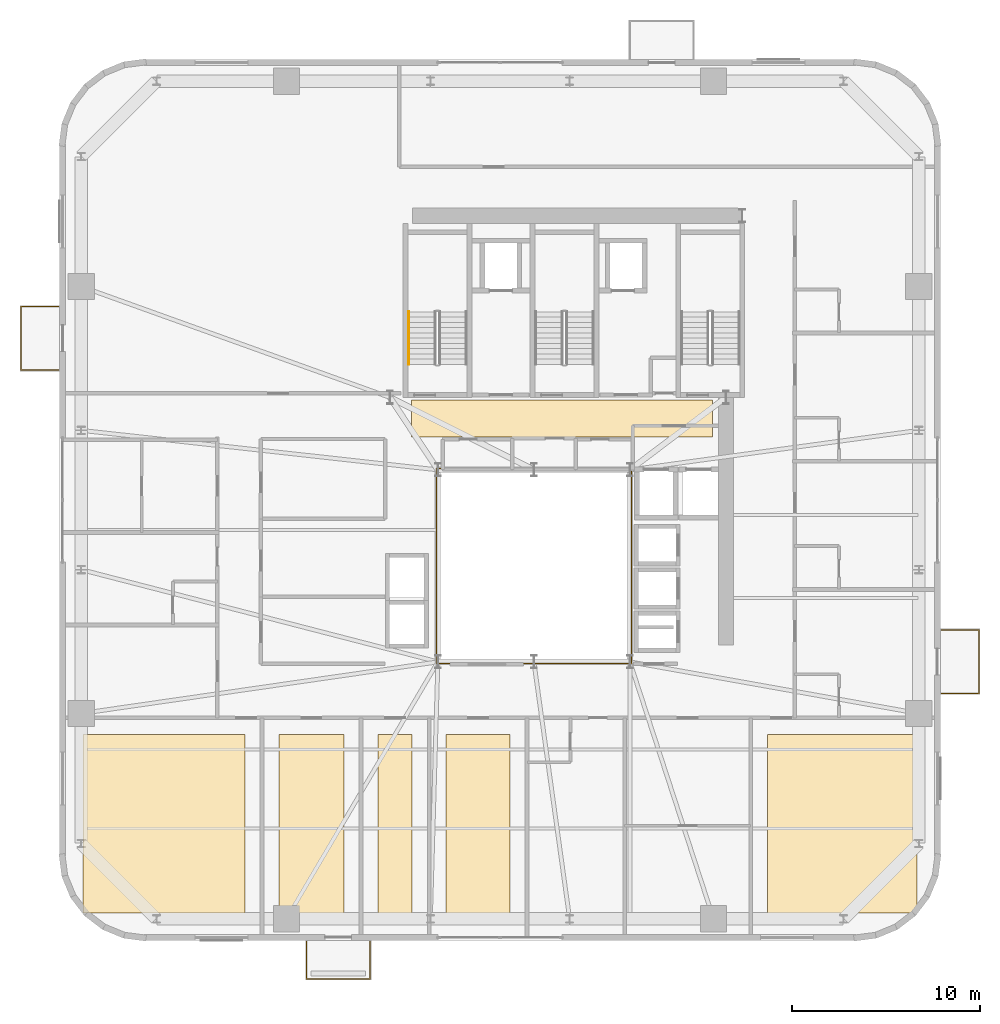
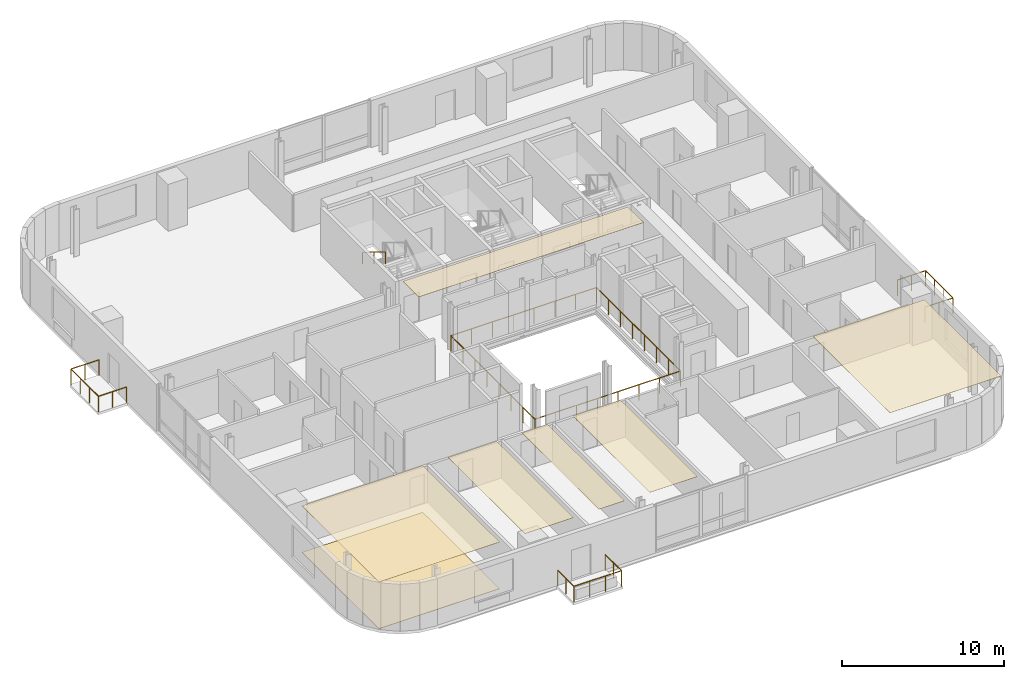
# One storey, part 12 of 13: 7 coverings, 5 railings.
"""IFC4 building model written with IfcOpenShell, lengths in metres."""

from ifc_helpers import new_model, si_unit, direction, frame, origin, origin_2d, place, context, subcontext, project, spatial, polyline, rectangle, outline, extrude, source, transform, mapped, material, layer, layer_set, type_object, element, save


model = new_model("IFC4")

# Units and contexts
model_context = context("Model", 3, precision=1e-05, world=origin(), true_north=direction((0.0, 1.0)))
body_context = subcontext(model_context, "Body", "Model", "MODEL_VIEW")
ifc_project = project(units=[si_unit("LENGTHUNIT", "METRE"), si_unit("AREAUNIT", "SQUARE_METRE"), si_unit("VOLUMEUNIT", "CUBIC_METRE"), si_unit("PLANEANGLEUNIT", "RADIAN"), si_unit("MASSUNIT", "GRAM", prefix="KILO")], contexts=[model_context])

# Site, building, storey
site_placement = place(None, origin())
site = spatial("IfcSite", under=ifc_project, at=site_placement, CompositionType="ELEMENT")
building_placement = place(site_placement, origin())
building = spatial("IfcBuilding", under=site, at=building_placement, Name="Vardaveli Station Tower", CompositionType="ELEMENT")
storey_placement = place(building_placement, frame((0.0, 0.0, 196.050048828125)))
storey = spatial("IfcBuildingStorey", under=building, at=storey_placement, Name="L50", CompositionType="ELEMENT", Elevation=196.050048828125)

# Coverings
ifc_material_1 = material(Name="Perforated acoustic mineral ceiling")
ifc_layer_1 = layer(ifc_material_1, 0.02001953125, Name="Perforated acoustic mineral ceiling")
ifc_layer_set_1 = layer_set([ifc_layer_1], Name="Perforated acoustic mineral ceiling")
covering_type_1 = type_object("IfcCoveringType", Name="COV-CEIL-AC20", PredefinedType="CEILING", material=ifc_layer_set_1)
covering_1_placement = place(storey_placement, frame((0.0, 0.0, 3.514892578125)))
element("IfcCovering", 1, at=covering_1_placement, inside=storey, type_object=covering_type_1, Name="CEIL-L50-1", PredefinedType="CEILING", context=body_context, shape_type="SweptSolid", body=[
    extrude(outline(polyline([(12.35009765625, 3.25), (20.949951171875, 3.25), (20.949951171875, 12.72998046875), (12.35009765625, 12.72998046875), (12.35009765625, 3.25)])), origin(), (0.0, 0.0, 1.0), 0.02001953125),
])
covering_2_placement = place(storey_placement, frame((0.0, 0.0, 3.514892578125)))
element("IfcCovering", 2, at=covering_2_placement, inside=storey, type_object=covering_type_1, Name="CEIL-L50-2", PredefinedType="CEILING", context=body_context, shape_type="SweptSolid", body=[
    extrude(outline(polyline([(22.75, 3.25), (26.21044921875, 3.25), (26.21044921875, 12.72998046875), (22.75, 12.72998046875), (22.75, 3.25)])), origin(), (0.0, 0.0, 1.0), 0.02001953125),
])
covering_3_placement = place(storey_placement, frame((0.0, 0.0, 3.514892578125)))
element("IfcCovering", 3, at=covering_3_placement, inside=storey, type_object=covering_type_1, Name="CEIL-L50-3", PredefinedType="CEILING", context=body_context, shape_type="SweptSolid", body=[
    extrude(outline(polyline([(28.010498046875, 3.25), (29.837890625, 3.25), (29.837890625, 12.72998046875), (28.010498046875, 12.72998046875), (28.010498046875, 3.25)])), origin(), (0.0, 0.0, 1.0), 0.02001953125),
])
covering_4_placement = place(storey_placement, frame((0.0, 0.0, 3.514892578125)))
element("IfcCovering", 4, at=covering_4_placement, inside=storey, type_object=covering_type_1, Name="CEIL-L50-4", PredefinedType="CEILING", context=body_context, shape_type="SweptSolid", body=[
    extrude(outline(polyline([(31.637939453125, 3.25), (35.031982421875, 3.25), (35.031982421875, 12.72998046875), (31.637939453125, 12.72998046875), (31.637939453125, 3.25)])), origin(), (0.0, 0.0, 1.0), 0.02001953125),
])
covering_5_placement = place(storey_placement, frame((0.0, 0.0, 3.514892578125)))
element("IfcCovering", 5, at=covering_5_placement, inside=storey, type_object=covering_type_1, Name="CEIL-L50-5", PredefinedType="CEILING", context=body_context, shape_type="SweptSolid", body=[
    extrude(outline(polyline([(48.719970703125, 3.25), (56.64990234375, 3.25), (56.64990234375, 12.72998046875), (48.719970703125, 12.72998046875), (48.719970703125, 3.25)])), origin(), (0.0, 0.0, 1.0), 0.02001953125),
])
covering_6_placement = place(storey_placement, frame((0.0, 0.0, 3.514892578125)))
element("IfcCovering", 6, at=covering_6_placement, inside=storey, type_object=covering_type_1, Name="CEIL-L50-6", PredefinedType="CEILING", context=body_context, shape_type="SweptSolid", body=[
    extrude(outline(polyline([(29.800048828125, 28.550048828125), (45.800048828125, 28.550048828125), (45.800048828125, 30.5), (29.800048828125, 30.5), (29.800048828125, 28.550048828125)])), origin(), (0.0, 0.0, 1.0), 0.02001953125),
])
ifc_material_2 = material(Name="Honed Caucasian basalt and travertine flooring", Category="masonry")
ifc_layer_2 = layer(ifc_material_2, 0.030029296875, Name="Honed Caucasian basalt and travertine flooring")
ifc_layer_set_2 = layer_set([ifc_layer_2], Name="Honed Caucasian basalt and travertine flooring")
covering_type_2 = type_object("IfcCoveringType", Name="COV-FLOOR-ST30", PredefinedType="FLOORING", material=ifc_layer_set_2)
covering_7_placement = place(storey_placement, origin())
element("IfcCovering", 7, at=covering_7_placement, inside=storey, type_object=covering_type_2, Name="FLR-L50-1", PredefinedType="FLOORING", context=body_context, shape_type="SweptSolid", body=[
    extrude(outline(polyline([(12.35009765625, 3.25), (20.949951171875, 3.25), (20.949951171875, 12.72998046875), (12.35009765625, 12.72998046875), (12.35009765625, 3.25)])), origin(), (0.0, 0.0, 1.0), 0.030029296875),
])

# Railings
ifc_material_3 = material(Name="Laminated glass and stainless steel balustrade", Category="steel")
railing_type_1 = type_object("IfcRailingType", Name="RL-BAL-1200", PredefinedType="BALUSTRADE", material=ifc_material_3)
shared_shape_1 = source(origin(), body_context, "Body", "SweptSolid", [
    extrude(rectangle(XDim=0.048095703125, YDim=0.048095703125, at=origin_2d()), frame((0.0, 0.0, 1.17578125), z_axis=(0.0, -1.0, 0.0), x_axis=(1.0, 0.0, 0.0)), (0.0, 0.0, 1.0), 2.0),
    extrude(rectangle(XDim=0.048095703125, YDim=0.048095703125, at=origin_2d()), frame((0.0, -2.0, 1.17578125), z_axis=(1.0, 0.0, 0.0), x_axis=(0.0, 1.0, 0.0)), (0.0, 0.0, 1.0), 3.3798828125),
    extrude(rectangle(XDim=0.048095703125, YDim=0.048095703125, at=origin_2d()), frame((3.3798828125, -2.0, 1.17578125), z_axis=(0.0, 1.0, 0.0), x_axis=(-1.0, 0.0, 0.0)), (0.0, 0.0, 1.0), 2.0),
    extrude(rectangle(XDim=0.0419921875, YDim=0.0419921875, at=origin_2d()), origin(), (0.0, 0.0, 1.0), 1.15185546875),
    extrude(rectangle(XDim=0.0419921875, YDim=0.0419921875, at=origin_2d()), frame((0.0, -1.0, 0.0)), (0.0, 0.0, 1.0), 1.15185546875),
    extrude(rectangle(XDim=0.0419921875, YDim=0.0419921875, at=origin_2d()), frame((0.0, -2.0, 0.0)), (0.0, 0.0, 1.0), 1.15185546875),
    extrude(rectangle(XDim=0.0419921875, YDim=0.0419921875, at=origin_2d()), frame((1.126708984375, -2.0, 0.0)), (0.0, 0.0, 1.0), 1.15185546875),
    extrude(rectangle(XDim=0.0419921875, YDim=0.0419921875, at=origin_2d()), frame((2.253173828125, -2.0, 0.0)), (0.0, 0.0, 1.0), 1.15185546875),
    extrude(rectangle(XDim=0.0419921875, YDim=0.0419921875, at=origin_2d()), frame((3.3798828125, -2.0, 0.0)), (0.0, 0.0, 1.0), 1.15185546875),
    extrude(rectangle(XDim=0.0419921875, YDim=0.0419921875, at=origin_2d()), frame((3.3798828125, -1.0, 0.0)), (0.0, 0.0, 1.0), 1.15185546875),
    extrude(rectangle(XDim=0.0419921875, YDim=0.0419921875, at=origin_2d()), frame((3.3798828125, 0.0, 0.0)), (0.0, 0.0, 1.0), 1.15185546875),
])
railing_1_placement = place(storey_placement, frame((24.220458984375, 1.760009765625, 0.0)))
element("IfcRailing", 8, at=railing_1_placement, inside=storey, type_object=railing_type_1, Name="RL-LOG-L50-01", PredefinedType="BALUSTRADE", context=body_context, shape_type="MappedRepresentation", body=[
    mapped(shared_shape_1, transform((0.0, 0.0, 0.0), scale=1.0)),
])
shared_shape_2 = source(origin(), body_context, "Body", "SweptSolid", [
    extrude(rectangle(XDim=0.048095703125, YDim=0.048095703125, at=origin_2d()), frame((0.0, 0.0, 1.17578125), z_axis=(1.0, 0.0, 0.0), x_axis=(0.0, 1.0, 0.0)), (0.0, 0.0, 1.0), 2.0),
    extrude(rectangle(XDim=0.048095703125, YDim=0.048095703125, at=origin_2d()), frame((2.0, 0.0, 1.17578125), z_axis=(0.0, 1.0, 0.0), x_axis=(-1.0, 0.0, 0.0)), (0.0, 0.0, 1.0), 3.3798828125),
    extrude(rectangle(XDim=0.048095703125, YDim=0.048095703125, at=origin_2d()), frame((2.0, 3.3798828125, 1.17578125), z_axis=(-1.0, 0.0, 0.0), x_axis=(0.0, -1.0, 0.0)), (0.0, 0.0, 1.0), 2.0),
    extrude(rectangle(XDim=0.0419921875, YDim=0.0419921875, at=origin_2d()), origin(), (0.0, 0.0, 1.0), 1.15185546875),
    extrude(rectangle(XDim=0.0419921875, YDim=0.0419921875, at=origin_2d()), frame((1.0, 0.0, 0.0)), (0.0, 0.0, 1.0), 1.15185546875),
    extrude(rectangle(XDim=0.0419921875, YDim=0.0419921875, at=origin_2d()), frame((2.0, 0.0, 0.0)), (0.0, 0.0, 1.0), 1.15185546875),
    extrude(rectangle(XDim=0.0419921875, YDim=0.0419921875, at=origin_2d()), frame((2.0, 1.126708984375, 0.0)), (0.0, 0.0, 1.0), 1.15185546875),
    extrude(rectangle(XDim=0.0419921875, YDim=0.0419921875, at=origin_2d()), frame((2.0, 2.253173828125, 0.0)), (0.0, 0.0, 1.0), 1.15185546875),
    extrude(rectangle(XDim=0.0419921875, YDim=0.0419921875, at=origin_2d()), frame((2.0, 3.3798828125, 0.0)), (0.0, 0.0, 1.0), 1.15185546875),
    extrude(rectangle(XDim=0.0419921875, YDim=0.0419921875, at=origin_2d()), frame((1.0, 3.3798828125, 0.0)), (0.0, 0.0, 1.0), 1.15185546875),
    extrude(rectangle(XDim=0.0419921875, YDim=0.0419921875, at=origin_2d()), frame((0.0, 3.3798828125, 0.0)), (0.0, 0.0, 1.0), 1.15185546875),
])
railing_2_placement = place(storey_placement, frame((57.93994140625, 14.92041015625, 0.0)))
element("IfcRailing", 9, at=railing_2_placement, inside=storey, type_object=railing_type_1, Name="RL-LOG-L50-04", PredefinedType="BALUSTRADE", context=body_context, shape_type="MappedRepresentation", body=[
    mapped(shared_shape_2, transform((0.0, 0.0, 0.0), scale=1.0)),
])
shared_shape_3 = source(origin(), body_context, "Body", "SweptSolid", [
    extrude(rectangle(XDim=0.048095703125, YDim=0.048095703125, at=origin_2d()), frame((0.0, 0.0, 1.17578125), z_axis=(-1.0, 0.0, 0.0), x_axis=(0.0, -1.0, 0.0)), (0.0, 0.0, 1.0), 2.0),
    extrude(rectangle(XDim=0.048095703125, YDim=0.048095703125, at=origin_2d()), frame((-2.0, 0.0, 1.17578125), z_axis=(0.0, 1.0, 0.0), x_axis=(-1.0, 0.0, 0.0)), (0.0, 0.0, 1.0), 3.3798828125),
    extrude(rectangle(XDim=0.048095703125, YDim=0.048095703125, at=origin_2d()), frame((-2.0, 3.3798828125, 1.17578125), z_axis=(1.0, 0.0, 0.0), x_axis=(0.0, 1.0, 0.0)), (0.0, 0.0, 1.0), 2.0),
    extrude(rectangle(XDim=0.0419921875, YDim=0.0419921875, at=origin_2d()), origin(), (0.0, 0.0, 1.0), 1.15185546875),
    extrude(rectangle(XDim=0.0419921875, YDim=0.0419921875, at=origin_2d()), frame((-1.0, 0.0, 0.0)), (0.0, 0.0, 1.0), 1.15185546875),
    extrude(rectangle(XDim=0.0419921875, YDim=0.0419921875, at=origin_2d()), frame((-2.0, 0.0, 0.0)), (0.0, 0.0, 1.0), 1.15185546875),
    extrude(rectangle(XDim=0.0419921875, YDim=0.0419921875, at=origin_2d()), frame((-2.0, 1.126708984375, 0.0)), (0.0, 0.0, 1.0), 1.15185546875),
    extrude(rectangle(XDim=0.0419921875, YDim=0.0419921875, at=origin_2d()), frame((-2.0, 2.253173828125, 0.0)), (0.0, 0.0, 1.0), 1.15185546875),
    extrude(rectangle(XDim=0.0419921875, YDim=0.0419921875, at=origin_2d()), frame((-2.0, 3.3798828125, 0.0)), (0.0, 0.0, 1.0), 1.15185546875),
    extrude(rectangle(XDim=0.0419921875, YDim=0.0419921875, at=origin_2d()), frame((-1.0, 3.3798828125, 0.0)), (0.0, 0.0, 1.0), 1.15185546875),
    extrude(rectangle(XDim=0.0419921875, YDim=0.0419921875, at=origin_2d()), frame((0.0, 3.3798828125, 0.0)), (0.0, 0.0, 1.0), 1.15185546875),
])
railing_3_placement = place(storey_placement, frame((11.06005859375, 32.099609375, 0.0)))
element("IfcRailing", 10, at=railing_3_placement, inside=storey, type_object=railing_type_1, Name="RL-LOG-L50-03", PredefinedType="BALUSTRADE", context=body_context, shape_type="MappedRepresentation", body=[
    mapped(shared_shape_3, transform((0.0, 0.0, 0.0), scale=1.0)),
])
ifc_material_4 = material(Name="Brushed AISI 316 stainless steel", Category="steel")
railing_type_2 = type_object("IfcRailingType", Name="RL-HAND-900", PredefinedType="HANDRAIL", material=ifc_material_4)
shared_shape_4 = source(origin(), body_context, "Body", "SweptSolid", [
    extrude(rectangle(XDim=0.048095703125, YDim=0.048095703125, at=origin_2d()), frame((0.0, 0.0, 0.8759765625), z_axis=(0.0, -0.854169791009, 0.51999420009), x_axis=(1.0, 0.0, 0.0)), (0.0, 0.0, 1.0), 3.278076171875),
    extrude(rectangle(XDim=0.0419921875, YDim=0.0419921875, at=origin_2d()), origin(), (0.0, 0.0, 1.0), 0.851806640625),
    extrude(rectangle(XDim=0.0419921875, YDim=0.0419921875, at=origin_2d()), frame((0.0, -1.39990234375, 0.852294921875)), (0.0, 0.0, 1.0), 0.851806640625),
    extrude(rectangle(XDim=0.0419921875, YDim=0.0419921875, at=origin_2d()), frame((0.0, -2.800048828125, 1.70458984375)), (0.0, 0.0, 1.0), 0.851806640625),
])
railing_4_placement = place(storey_placement, frame((29.64990234375, 35.199951171875, 2.04541015625)))
element("IfcRailing", 11, at=railing_4_placement, inside=storey, type_object=railing_type_2, Name="L50 ST-1 stair handrail 2", PredefinedType="HANDRAIL", context=body_context, shape_type="MappedRepresentation", body=[
    mapped(shared_shape_4, transform((0.0, 0.0, 0.0), scale=1.0)),
])
shared_shape_5 = source(origin(), body_context, "Body", "SweptSolid", [
    extrude(rectangle(XDim=0.048095703125, YDim=0.048095703125, at=origin_2d()), frame((0.0, 0.0, 1.17578125), z_axis=(1.0, 0.0, 0.0), x_axis=(0.0, 1.0, 0.0)), (0.0, 0.0, 1.0), 10.35986328125),
    extrude(rectangle(XDim=0.048095703125, YDim=0.048095703125, at=origin_2d()), frame((10.35986328125, 0.0, 1.17578125), z_axis=(0.0, 1.0, 0.0), x_axis=(-1.0, 0.0, 0.0)), (0.0, 0.0, 1.0), 10.35986328125),
    extrude(rectangle(XDim=0.048095703125, YDim=0.048095703125, at=origin_2d()), frame((10.35986328125, 10.35986328125, 1.17578125), z_axis=(-1.0, 0.0, 0.0), x_axis=(0.0, -1.0, 0.0)), (0.0, 0.0, 1.0), 10.35986328125),
    extrude(rectangle(XDim=0.048095703125, YDim=0.048095703125, at=origin_2d()), frame((0.0, 10.35986328125, 1.17578125), z_axis=(0.0, -1.0, 0.0), x_axis=(1.0, 0.0, 0.0)), (0.0, 0.0, 1.0), 10.35986328125),
    extrude(rectangle(XDim=0.0419921875, YDim=0.0419921875, at=origin_2d()), origin(), (0.0, 0.0, 1.0), 1.15185546875),
    extrude(rectangle(XDim=0.0419921875, YDim=0.0419921875, at=origin_2d()), frame((1.47998046875, 0.0, 0.0)), (0.0, 0.0, 1.0), 1.15185546875),
    extrude(rectangle(XDim=0.0419921875, YDim=0.0419921875, at=origin_2d()), frame((2.9599609375, 0.0, 0.0)), (0.0, 0.0, 1.0), 1.15185546875),
    extrude(rectangle(XDim=0.0419921875, YDim=0.0419921875, at=origin_2d()), frame((4.43994140625, 0.0, 0.0)), (0.0, 0.0, 1.0), 1.15185546875),
    extrude(rectangle(XDim=0.0419921875, YDim=0.0419921875, at=origin_2d()), frame((5.919921875, 0.0, 0.0)), (0.0, 0.0, 1.0), 1.15185546875),
    extrude(rectangle(XDim=0.0419921875, YDim=0.0419921875, at=origin_2d()), frame((7.39990234375, 0.0, 0.0)), (0.0, 0.0, 1.0), 1.15185546875),
    extrude(rectangle(XDim=0.0419921875, YDim=0.0419921875, at=origin_2d()), frame((8.8798828125, 0.0, 0.0)), (0.0, 0.0, 1.0), 1.15185546875),
    extrude(rectangle(XDim=0.0419921875, YDim=0.0419921875, at=origin_2d()), frame((10.35986328125, 0.0, 0.0)), (0.0, 0.0, 1.0), 1.15185546875),
    extrude(rectangle(XDim=0.0419921875, YDim=0.0419921875, at=origin_2d()), frame((10.35986328125, 1.47998046875, 0.0)), (0.0, 0.0, 1.0), 1.15185546875),
    extrude(rectangle(XDim=0.0419921875, YDim=0.0419921875, at=origin_2d()), frame((10.35986328125, 2.9599609375, 0.0)), (0.0, 0.0, 1.0), 1.15185546875),
    extrude(rectangle(XDim=0.0419921875, YDim=0.0419921875, at=origin_2d()), frame((10.35986328125, 4.43994140625, 0.0)), (0.0, 0.0, 1.0), 1.15185546875),
    extrude(rectangle(XDim=0.0419921875, YDim=0.0419921875, at=origin_2d()), frame((10.35986328125, 5.919921875, 0.0)), (0.0, 0.0, 1.0), 1.15185546875),
    extrude(rectangle(XDim=0.0419921875, YDim=0.0419921875, at=origin_2d()), frame((10.35986328125, 7.39990234375, 0.0)), (0.0, 0.0, 1.0), 1.15185546875),
    extrude(rectangle(XDim=0.0419921875, YDim=0.0419921875, at=origin_2d()), frame((10.35986328125, 8.8798828125, 0.0)), (0.0, 0.0, 1.0), 1.15185546875),
    extrude(rectangle(XDim=0.0419921875, YDim=0.0419921875, at=origin_2d()), frame((10.35986328125, 10.35986328125, 0.0)), (0.0, 0.0, 1.0), 1.15185546875),
    extrude(rectangle(XDim=0.0419921875, YDim=0.0419921875, at=origin_2d()), frame((8.8798828125, 10.35986328125, 0.0)), (0.0, 0.0, 1.0), 1.15185546875),
    extrude(rectangle(XDim=0.0419921875, YDim=0.0419921875, at=origin_2d()), frame((7.39990234375, 10.35986328125, 0.0)), (0.0, 0.0, 1.0), 1.15185546875),
    extrude(rectangle(XDim=0.0419921875, YDim=0.0419921875, at=origin_2d()), frame((5.919921875, 10.35986328125, 0.0)), (0.0, 0.0, 1.0), 1.15185546875),
    extrude(rectangle(XDim=0.0419921875, YDim=0.0419921875, at=origin_2d()), frame((4.43994140625, 10.35986328125, 0.0)), (0.0, 0.0, 1.0), 1.15185546875),
    extrude(rectangle(XDim=0.0419921875, YDim=0.0419921875, at=origin_2d()), frame((2.9599609375, 10.35986328125, 0.0)), (0.0, 0.0, 1.0), 1.15185546875),
    extrude(rectangle(XDim=0.0419921875, YDim=0.0419921875, at=origin_2d()), frame((1.47998046875, 10.35986328125, 0.0)), (0.0, 0.0, 1.0), 1.15185546875),
    extrude(rectangle(XDim=0.0419921875, YDim=0.0419921875, at=origin_2d()), frame((0.0, 10.35986328125, 0.0)), (0.0, 0.0, 1.0), 1.15185546875),
    extrude(rectangle(XDim=0.0419921875, YDim=0.0419921875, at=origin_2d()), frame((0.0, 8.8798828125, 0.0)), (0.0, 0.0, 1.0), 1.15185546875),
    extrude(rectangle(XDim=0.0419921875, YDim=0.0419921875, at=origin_2d()), frame((0.0, 7.39990234375, 0.0)), (0.0, 0.0, 1.0), 1.15185546875),
    extrude(rectangle(XDim=0.0419921875, YDim=0.0419921875, at=origin_2d()), frame((0.0, 5.919921875, 0.0)), (0.0, 0.0, 1.0), 1.15185546875),
    extrude(rectangle(XDim=0.0419921875, YDim=0.0419921875, at=origin_2d()), frame((0.0, 4.43994140625, 0.0)), (0.0, 0.0, 1.0), 1.15185546875),
    extrude(rectangle(XDim=0.0419921875, YDim=0.0419921875, at=origin_2d()), frame((0.0, 2.9599609375, 0.0)), (0.0, 0.0, 1.0), 1.15185546875),
    extrude(rectangle(XDim=0.0419921875, YDim=0.0419921875, at=origin_2d()), frame((0.0, 1.47998046875, 0.0)), (0.0, 0.0, 1.0), 1.15185546875),
])
railing_5_placement = place(storey_placement, frame((31.1201171875, 16.52001953125, 0.0)))
element("IfcRailing", 12, at=railing_5_placement, inside=storey, type_object=railing_type_1, Name="RL-ATR-L50", PredefinedType="BALUSTRADE", context=body_context, shape_type="MappedRepresentation", body=[
    mapped(shared_shape_5, transform((0.0, 0.0, 0.0), scale=1.0)),
])

save(model, "model.ifc")
